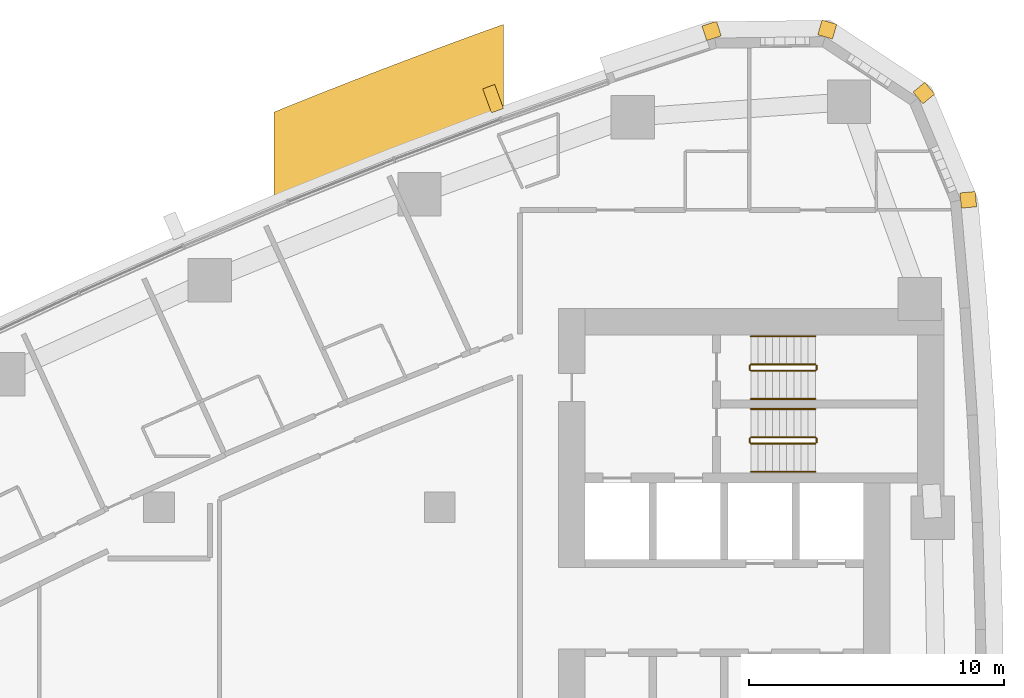
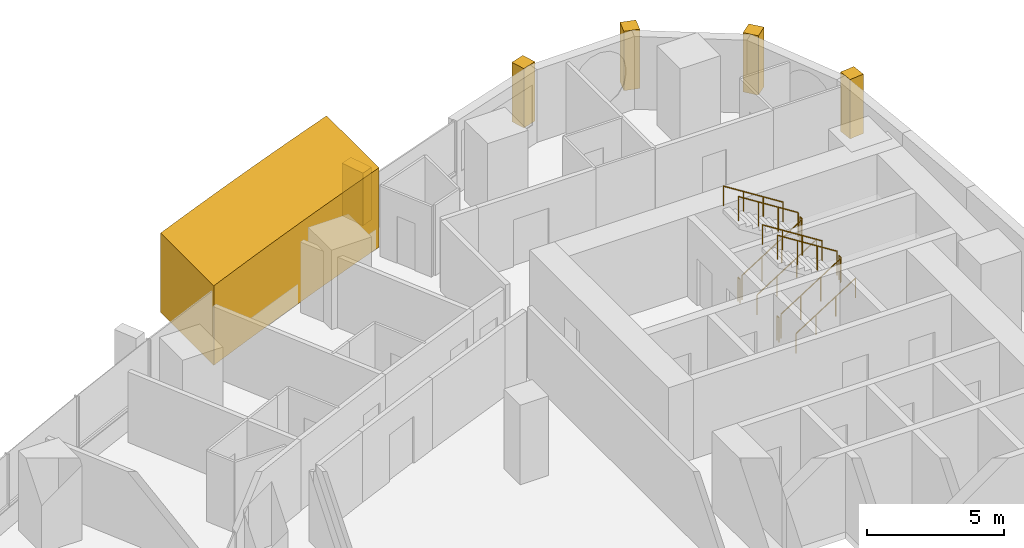
# One storey, part 17 of 17: 12 railings, 6 coverings.
"""IFC4 building model written with IfcOpenShell, lengths in metres."""

import ifcopenshell
import ifcopenshell.guid

model = None  # the IFC model being written
_history = None  # IfcOwnerHistory: only IFC2X3 demands one
_inside = {}  # id of a spatial element -> (the spatial element, [elements in it])
_under = {}  # id of a project, library or spatial element -> (it, [spatial elements below it])
_declared = {}  # id of a project -> (the project, [libraries it declares])
_typed = {}  # id of a type object -> (the type object, [elements of that type])
_made_of = {}  # id of a material, layer set ... -> (it, [elements and type objects made of it])


def new_model(schema):
    """Start an empty IFC model of exactly this schema.

    Asked for "IFC4X3", IfcOpenShell would pick the latest addendum, in which some entities
    have other attributes; the version numbers below select the first issue.
    IFC2X3 requires an IfcOwnerHistory on every rooted entity: one is made here for all.
    """
    global model, _history
    if schema == "IFC4X3":
        model = ifcopenshell.file(schema_version=(4, 3, 0, 0))
    else:
        model = ifcopenshell.file(schema=schema)
    _inside.clear()
    _under.clear()
    _declared.clear()
    _typed.clear()
    _made_of.clear()
    _history = None
    if model.schema == "IFC2X3":
        org = make("IfcOrganization", Name="unknown")
        user = make(
            "IfcPersonAndOrganization",
            ThePerson=make("IfcPerson", FamilyName="unknown"),
            TheOrganization=org,
        )
        app = make(
            "IfcApplication",
            ApplicationDeveloper=org,
            Version="unknown",
            ApplicationFullName="unknown",
            ApplicationIdentifier="unknown",
        )
        _history = make(
            "IfcOwnerHistory",
            OwningUser=user,
            OwningApplication=app,
            ChangeAction="ADDED",
            CreationDate=0,
        )
    return model


def make(cls, **values):
    """One entity of the class cls with the attributes given. An attribute that is None is left unset."""
    return model.create_entity(
        cls, **{name: value for name, value in values.items() if value is not None}
    )


def rooted(cls, **values):
    """An entity with a GlobalId (a new one), such as an element, a storey or a relation."""
    return make(cls, GlobalId=ifcopenshell.guid.new(), OwnerHistory=_history, **values)


def si_unit(unit_type, name, prefix=None):
    """IfcSIUnit, for example si_unit("LENGTHUNIT", "METRE", prefix="MILLI")."""
    return make("IfcSIUnit", UnitType=unit_type, Prefix=prefix, Name=name)


def assignment(units):
    """IfcUnitAssignment: the units of a project."""
    return None if units is None else make("IfcUnitAssignment", Units=units)


def point(xyz):
    """IfcCartesianPoint."""
    return None if xyz is None else make("IfcCartesianPoint", Coordinates=xyz)


def direction(xyz):
    """IfcDirection."""
    return None if xyz is None else make("IfcDirection", DirectionRatios=xyz)


def frame(location, z_axis=None, x_axis=None):
    """IfcAxis2Placement3D, a coordinate frame: its origin and axes. An axis left out is left unset."""
    return make(
        "IfcAxis2Placement3D",
        Location=point(location),
        Axis=direction(z_axis),
        RefDirection=direction(x_axis),
    )


def frame_2d(location, x_axis=None):
    """IfcAxis2Placement2D, a coordinate frame in the plane: its origin and x axis."""
    return make(
        "IfcAxis2Placement2D", Location=point(location), RefDirection=direction(x_axis)
    )


def origin():
    """The frame at (0, 0, 0) with its axes left unset."""
    return frame((0.0, 0.0, 0.0))


def origin_2d():
    """The frame at (0, 0) in the plane with its x axis left unset."""
    return frame_2d((0.0, 0.0))


def place(relative_to, where):
    """IfcLocalPlacement: puts the frame where relative to a parent placement (None: the world)."""
    return make(
        "IfcLocalPlacement", PlacementRelTo=relative_to, RelativePlacement=where
    )


def context(
    kind, dimensions, precision=None, world=None, true_north=None, identifier=None
):
    """IfcGeometricRepresentationContext, for example the 3D "Model" context."""
    return make(
        "IfcGeometricRepresentationContext",
        ContextIdentifier=identifier,
        ContextType=kind,
        CoordinateSpaceDimension=dimensions,
        Precision=precision,
        WorldCoordinateSystem=world,
        TrueNorth=true_north,
    )


def subcontext(parent, identifier, kind, view, scale=None):
    """IfcGeometricRepresentationSubContext, for example "Body" below "Model"."""
    return make(
        "IfcGeometricRepresentationSubContext",
        ContextIdentifier=identifier,
        ContextType=kind,
        ParentContext=parent,
        TargetScale=scale,
        TargetView=view,
    )


def project(units=None, contexts=None):
    """IfcProject with its units and contexts."""
    return rooted(
        "IfcProject",
        Name="project",
        RepresentationContexts=contexts,
        UnitsInContext=assignment(units),
    )


def spatial(cls, under=None, at=None, **own):
    """A site, building, storey or space (cls), placed at a placement, below another one or the project."""
    s = rooted(cls, ObjectPlacement=at, **own)
    if under is not None:
        _under.setdefault(under.id(), (under, []))[1].append(s)
    return s


def polyline(points):
    """IfcPolyline through the points."""
    return make("IfcPolyline", Points=[point(p) for p in points])


def profile(cls, at=None, kind="AREA", **sizes):
    """A parametric profile (cls). Its sizes go by their IFC names, for example OverallWidth=200.0."""
    return make(cls, ProfileType=kind, Position=at, **sizes)


def rectangle(**sizes):
    """IfcRectangleProfileDef."""
    return profile("IfcRectangleProfileDef", **sizes)


def circle(**sizes):
    """IfcCircleProfileDef."""
    return profile("IfcCircleProfileDef", **sizes)


def outline(outer, holes=None, kind="AREA"):
    """IfcArbitraryClosedProfileDef: a profile drawn as a closed curve; with holes, ...WithVoids."""
    if holes is None:
        return make("IfcArbitraryClosedProfileDef", ProfileType=kind, OuterCurve=outer)
    return make(
        "IfcArbitraryProfileDefWithVoids",
        ProfileType=kind,
        OuterCurve=outer,
        InnerCurves=holes,
    )


def extrude(swept, where, along, depth):
    """IfcExtrudedAreaSolid: the profile swept, set in the frame where, extruded along a direction by depth."""
    return make(
        "IfcExtrudedAreaSolid",
        SweptArea=swept,
        Position=where,
        ExtrudedDirection=direction(along),
        Depth=depth,
    )


def shape(context_of_items, identifier, shape_type, items):
    """IfcShapeRepresentation: the items that make up one representation, for example the "Body"."""
    return make(
        "IfcShapeRepresentation",
        ContextOfItems=context_of_items,
        RepresentationIdentifier=identifier,
        RepresentationType=shape_type,
        Items=items,
    )


def material(Name=None, Category=None):
    """IfcMaterial."""
    return make("IfcMaterial", Name=Name, Category=Category)


def layer(
    of_material, thickness, ventilated=None, Name=None, Category=None, Priority=None
):
    """IfcMaterialLayer: one layer of a wall or slab, of a material (None: an air gap)."""
    return make(
        "IfcMaterialLayer",
        Material=of_material,
        LayerThickness=thickness,
        IsVentilated=ventilated,
        Name=Name,
        Category=Category,
        Priority=Priority,
    )


def layer_set(layers, Name=None):
    """IfcMaterialLayerSet."""
    return make("IfcMaterialLayerSet", MaterialLayers=layers, LayerSetName=Name)


def made_of(thing, what):
    """Note that an element or type object is made of a material, layer set ...; save() writes the relation."""
    if what is not None:
        _made_of.setdefault(what.id(), (what, []))[1].append(thing)
    return thing


def type_object(cls, material=None, **own):
    """A type object (cls), such as IfcWallType, which elements share."""
    return made_of(rooted(cls, **own), material)


def element(
    cls,
    number,
    at=None,
    inside=None,
    cuts=None,
    type_object=None,
    material=None,
    context=None,
    identifier="Body",
    shape_type=None,
    held_by="IfcProductDefinitionShape",
    body=None,
    shapes=None,
    **own,
):
    """One element of the class cls, such as IfcWall. Its Tag is "e" and its number.

    at: its placement. inside: the storey or other place that contains it. cuts: it is an
    opening in that element (IfcRelVoidsElement). A single representation is given by context,
    identifier, shape_type and body (its items); several are given by shapes. held_by: the class
    of the entity that holds the representations. save() writes the other relations.
    """
    e = rooted(cls, Tag="e%d" % number, ObjectPlacement=at, **own)
    if body is not None:
        shapes = [shape(context, identifier, shape_type, body)]
    if shapes is not None:
        e.Representation = make(held_by, Representations=shapes)
    if inside is not None:
        _inside.setdefault(inside.id(), (inside, []))[1].append(e)
    if cuts is not None:
        rooted(
            "IfcRelVoidsElement", RelatingBuildingElement=cuts, RelatedOpeningElement=e
        )
    if type_object is not None:
        _typed.setdefault(type_object.id(), (type_object, []))[1].append(e)
    return made_of(e, material)


def aggregate(whole, parts):
    """IfcRelAggregates: a whole, such as a stair, and the parts it consists of."""
    return rooted("IfcRelAggregates", RelatingObject=whole, RelatedObjects=parts)


def save(model, path):
    """Write the relations noted so far, then the file.

    IfcRelAggregates (storeys below a building ...), IfcRelContainedInSpatialStructure (elements
    in a storey), IfcRelDefinesByType, IfcRelAssociatesMaterial and IfcRelDeclares: one each for
    every whole, place, type object, material and project.
    """
    for whole, parts in _under.values():
        aggregate(whole, parts)
    for where, things in _inside.values():
        rooted(
            "IfcRelContainedInSpatialStructure",
            RelatedElements=things,
            RelatingStructure=where,
        )
    for kind, things in _typed.values():
        rooted("IfcRelDefinesByType", RelatedObjects=things, RelatingType=kind)
    for what, things in _made_of.values():
        rooted("IfcRelAssociatesMaterial", RelatedObjects=things, RelatingMaterial=what)
    for by, libraries in _declared.values():
        rooted("IfcRelDeclares", RelatingContext=by, RelatedDefinitions=libraries)
    model.write(path)


model = new_model("IFC4")

# Units and contexts
model_context = context("Model", 3, precision=1e-05, world=origin(), true_north=direction((0.0, 1.0)))
body_context = subcontext(model_context, "Body", "Model", "MODEL_VIEW")
ifc_project = project(units=[si_unit("LENGTHUNIT", "METRE"), si_unit("AREAUNIT", "SQUARE_METRE"), si_unit("VOLUMEUNIT", "CUBIC_METRE"), si_unit("PLANEANGLEUNIT", "RADIAN"), si_unit("MASSUNIT", "GRAM", prefix="KILO")], contexts=[model_context])

# Site, building, storey
site_placement = place(None, origin())
site = spatial("IfcSite", under=ifc_project, at=site_placement, CompositionType="ELEMENT")
building_placement = place(site_placement, origin())
building = spatial("IfcBuilding", under=site, at=building_placement, Name="Ostrand Prow Hotel Tower", CompositionType="ELEMENT")
storey_placement = place(building_placement, frame((0.0, 0.0, 116.85009765625)))
storey = spatial("IfcBuildingStorey", under=building, at=storey_placement, Name="L28", CompositionType="ELEMENT", Elevation=116.85009765625)

# Coverings
ifc_material_1 = material(Name="Limestone cladding", Category="masonry")
ifc_layer_1 = layer(ifc_material_1, 5.0)
ifc_layer_set_1 = layer_set([ifc_layer_1], Name="Limestone cladding")
covering_type_1 = type_object("IfcCoveringType", Name="Portal jamb pilaster limestone", PredefinedType="CLADDING", material=ifc_layer_set_1)
covering_1_placement = place(storey_placement, origin())
element("IfcCovering", 1, at=covering_1_placement, inside=storey, type_object=covering_type_1, Name="Portal jamb NB L28", PredefinedType="CLADDING", context=body_context, shape_type="SweptSolid", body=[
    extrude(outline(polyline([(38.5, 20.59423828125), (39.5, 21.006103515625), (40.5, 21.412353515625), (41.5, 21.812744140625), (42.5, 22.207763671875), (43.5, 22.59716796875), (44.5, 22.98095703125), (45.5, 23.359130859375), (46.5, 23.732177734375), (47.5, 24.099609375), (47.5, 27.927490234375), (46.5, 27.566650390625), (45.5, 27.200439453125), (44.5, 26.8291015625), (43.5, 26.4521484375), (42.5, 26.06982421875), (41.5, 25.68212890625), (40.5, 25.2890625), (39.5, 24.890380859375), (38.5, 24.486083984375), (38.5, 20.59423828125)])), origin(), (0.0, 0.0, 1.0), 3.5498046875),
])
ifc_material_2 = material(Name="Limestone cladding", Category="masonry")
ifc_layer_2 = layer(ifc_material_2, 0.5)
ifc_layer_set_2 = layer_set([ifc_layer_2], Name="Limestone cladding")
covering_type_2 = type_object("IfcCoveringType", Name="Precast stone fin 500x900", PredefinedType="CLADDING", material=ifc_layer_set_2)
covering_2_placement = place(storey_placement, frame((47.265380859375, 24.546142578125, 0.89990234375), z_axis=(0.0, 0.0, 1.0), x_axis=(-0.342762160206, 0.93942221686, 0.0)))
element("IfcCovering", 2, at=covering_2_placement, inside=storey, type_object=covering_type_2, Name="Stone fin N 2", PredefinedType="CLADDING", context=body_context, shape_type="SweptSolid", body=[
    extrude(rectangle(XDim=1.0, YDim=0.5, at=frame_2d((0.5, 0.0))), origin(), (0.0, 0.0, 1.0), 2.35009765625),
])
ifc_material_3 = material(Name="Limestone cladding", Category="masonry")
ifc_layer_3 = layer(ifc_material_3, 0.60009765625)
ifc_layer_set_3 = layer_set([ifc_layer_3], Name="Limestone cladding")
covering_type_3 = type_object("IfcCoveringType", Name="Precast stone prow rib 600x600", PredefinedType="CLADDING", material=ifc_layer_set_3)
for number, where, z_axis, x_axis, name in (
    (3, (65.41650390625, 21.02099609375, 0.599853515625), (0.0, 0.0, 1.0), (0.99529571972, 0.096883591531, 0.0), "Stone corner rib 15a"),
    (4, (63.74365234375, 25.043212890625, 0.599853515625), (0.0, 0.0, 1.0), (0.770318500913, 0.637659319034, 0.0), "Stone corner rib 16a"),
):
    element("IfcCovering", number, at=place(storey_placement, frame(where, z_axis=z_axis, x_axis=x_axis)), inside=storey, type_object=covering_type_3, Name=name, PredefinedType="CLADDING", context=body_context, shape_type="SweptSolid", body=[
        extrude(rectangle(XDim=0.599853515625, YDim=0.60009765625, at=frame_2d((0.2998046875, 0.0))), origin(), (0.0, 0.0, 1.0), 2.650146484375),
    ])
covering_3_placement = place(storey_placement, frame((60.104736328125, 27.437744140625, 0.599853515625), z_axis=(0.0, 0.0, 1.0), x_axis=(0.280734221166, 0.959785547436, 0.0)))
element("IfcCovering", 5, at=covering_3_placement, inside=storey, type_object=covering_type_3, Name="Stone corner rib 17a", PredefinedType="CLADDING", context=body_context, shape_type="SweptSolid", body=[
    extrude(rectangle(XDim=0.60009765625, YDim=0.60009765625, at=frame_2d((0.300048828125, 0.0))), origin(), (0.0, 0.0, 1.0), 2.650146484375),
])
covering_4_placement = place(storey_placement, frame((55.7490234375, 27.3828125, 0.599853515625), z_axis=(0.0, 0.0, 1.0), x_axis=(-0.305218682065, 0.952282288042, 0.0)))
element("IfcCovering", 6, at=covering_4_placement, inside=storey, type_object=covering_type_3, Name="Stone corner rib 17b", PredefinedType="CLADDING", context=body_context, shape_type="SweptSolid", body=[
    extrude(rectangle(XDim=0.599853515625, YDim=0.60009765625, at=frame_2d((0.2998046875, 0.0))), origin(), (0.0, 0.0, 1.0), 2.650146484375),
])

# Railings
ifc_material_4 = material(Name="Painted steel", Category="steel")
railing_type_1 = type_object("IfcRailingType", Name="Stair guard 1100", PredefinedType="GUARDRAIL", material=ifc_material_4)
railing_1_placement = place(storey_placement, frame((57.199951171875, 11.5, 0.177490234375)))
element("IfcRailing", 7, at=railing_1_placement, inside=storey, type_object=railing_type_1, Name="L28 ST1C stair guard 1", PredefinedType="GUARDRAIL", context=body_context, shape_type="SweptSolid", body=[
    extrude(circle(Radius=0.02392578125, at=origin_2d()), frame((0.0, 0.0, 1.076171875), z_axis=(0.84460694969, 0.0, 0.535386869969), x_axis=(0.0, 1.0, 0.0)), (0.0, 0.0, 1.0), 2.983642578125),
    extrude(circle(Radius=0.02099609375, at=origin_2d()), origin(), (0.0, 0.0, 1.0), 1.052001953125),
    extrude(circle(Radius=0.02099609375, at=origin_2d()), frame((0.840087890625, 0.0, 0.532470703125)), (0.0, 0.0, 1.0), 1.052001953125),
    extrude(circle(Radius=0.02099609375, at=origin_2d()), frame((1.679931640625, 0.0, 1.06494140625)), (0.0, 0.0, 1.0), 1.052001953125),
    extrude(circle(Radius=0.02099609375, at=origin_2d()), frame((2.52001953125, 0.0, 1.597412109375)), (0.0, 0.0, 1.0), 1.052001953125),
])
railing_2_placement = place(storey_placement, frame((59.77001953125, 11.550048828125, 1.77490234375)))
element("IfcRailing", 8, at=railing_2_placement, inside=storey, type_object=railing_type_1, Name="L28 ST1C stair guard 2", PredefinedType="GUARDRAIL", context=body_context, shape_type="SweptSolid", body=[
    extrude(circle(Radius=0.02392578125, at=origin_2d()), frame((0.0, 0.0, 1.076171875), z_axis=(0.0, 1.0, 0.0), x_axis=(-1.0, 0.0, 0.0)), (0.0, 0.0, 1.0), 0.14990234375),
    extrude(circle(Radius=0.02099609375, at=origin_2d()), origin(), (0.0, 0.0, 1.0), 1.052001953125),
    extrude(circle(Radius=0.02099609375, at=origin_2d()), frame((0.0, 0.14990234375, 0.0)), (0.0, 0.0, 1.0), 1.052001953125),
])
railing_3_placement = place(storey_placement, frame((59.719970703125, 11.75, 1.952392578125)))
element("IfcRailing", 9, at=railing_3_placement, inside=storey, type_object=railing_type_1, Name="L28 ST1C stair guard 3", PredefinedType="GUARDRAIL", context=body_context, shape_type="SweptSolid", body=[
    extrude(circle(Radius=0.02392578125, at=origin_2d()), frame((0.0, 0.0, 1.076171875), z_axis=(-0.84460694969, 0.0, 0.535386869969), x_axis=(0.0, -1.0, 0.0)), (0.0, 0.0, 1.0), 2.983642578125),
    extrude(circle(Radius=0.02099609375, at=origin_2d()), origin(), (0.0, 0.0, 1.0), 1.052001953125),
    extrude(circle(Radius=0.02099609375, at=origin_2d()), frame((-0.840087890625, 0.0, 0.532470703125)), (0.0, 0.0, 1.0), 1.052001953125),
    extrude(circle(Radius=0.02099609375, at=origin_2d()), frame((-1.679931640625, 0.0, 1.06494140625)), (0.0, 0.0, 1.0), 1.052001953125),
    extrude(circle(Radius=0.02099609375, at=origin_2d()), frame((-2.52001953125, 0.0, 1.597412109375)), (0.0, 0.0, 1.0), 1.052001953125),
])
railing_4_placement = place(storey_placement, frame((57.14990234375, 11.550048828125, 0.0)))
element("IfcRailing", 10, at=railing_4_placement, inside=storey, type_object=railing_type_1, Name="L28 ST1C stair guard 4", PredefinedType="GUARDRAIL", context=body_context, shape_type="SweptSolid", body=[
    extrude(circle(Radius=0.02392578125, at=origin_2d()), frame((0.0, 0.0, 1.076171875), z_axis=(0.0, 1.0, 0.0), x_axis=(-1.0, 0.0, 0.0)), (0.0, 0.0, 1.0), 0.14990234375),
    extrude(circle(Radius=0.02099609375, at=origin_2d()), origin(), (0.0, 0.0, 1.0), 1.052001953125),
    extrude(circle(Radius=0.02099609375, at=origin_2d()), frame((0.0, 0.14990234375, 0.0)), (0.0, 0.0, 1.0), 1.052001953125),
])
railing_5_placement = place(storey_placement, frame((57.199951171875, 14.35009765625, 0.177490234375)))
element("IfcRailing", 11, at=railing_5_placement, inside=storey, type_object=railing_type_1, Name="L28 ST3C stair guard 1", PredefinedType="GUARDRAIL", context=body_context, shape_type="SweptSolid", body=[
    extrude(circle(Radius=0.02392578125, at=origin_2d()), frame((0.0, 0.0, 1.076171875), z_axis=(0.84460694969, 0.0, 0.535386869969), x_axis=(0.0, 1.0, 0.0)), (0.0, 0.0, 1.0), 2.983642578125),
    extrude(circle(Radius=0.02099609375, at=origin_2d()), origin(), (0.0, 0.0, 1.0), 1.052001953125),
    extrude(circle(Radius=0.02099609375, at=origin_2d()), frame((0.840087890625, 0.0, 0.532470703125)), (0.0, 0.0, 1.0), 1.052001953125),
    extrude(circle(Radius=0.02099609375, at=origin_2d()), frame((1.679931640625, 0.0, 1.06494140625)), (0.0, 0.0, 1.0), 1.052001953125),
    extrude(circle(Radius=0.02099609375, at=origin_2d()), frame((2.52001953125, 0.0, 1.597412109375)), (0.0, 0.0, 1.0), 1.052001953125),
])
railing_6_placement = place(storey_placement, frame((59.77001953125, 14.39990234375, 1.77490234375)))
element("IfcRailing", 12, at=railing_6_placement, inside=storey, type_object=railing_type_1, Name="L28 ST3C stair guard 2", PredefinedType="GUARDRAIL", context=body_context, shape_type="SweptSolid", body=[
    extrude(circle(Radius=0.02392578125, at=origin_2d()), frame((0.0, 0.0, 1.076171875), z_axis=(0.0, 1.0, 0.0), x_axis=(-1.0, 0.0, 0.0)), (0.0, 0.0, 1.0), 0.150146484375),
    extrude(circle(Radius=0.02099609375, at=origin_2d()), origin(), (0.0, 0.0, 1.0), 1.052001953125),
    extrude(circle(Radius=0.02099609375, at=origin_2d()), frame((0.0, 0.150146484375, 0.0)), (0.0, 0.0, 1.0), 1.052001953125),
])
railing_7_placement = place(storey_placement, frame((59.719970703125, 14.60009765625, 1.952392578125)))
element("IfcRailing", 13, at=railing_7_placement, inside=storey, type_object=railing_type_1, Name="L28 ST3C stair guard 3", PredefinedType="GUARDRAIL", context=body_context, shape_type="SweptSolid", body=[
    extrude(circle(Radius=0.02392578125, at=origin_2d()), frame((0.0, 0.0, 1.076171875), z_axis=(-0.84460694969, 0.0, 0.535386869969), x_axis=(0.0, -1.0, 0.0)), (0.0, 0.0, 1.0), 2.983642578125),
    extrude(circle(Radius=0.02099609375, at=origin_2d()), origin(), (0.0, 0.0, 1.0), 1.052001953125),
    extrude(circle(Radius=0.02099609375, at=origin_2d()), frame((-0.840087890625, 0.0, 0.532470703125)), (0.0, 0.0, 1.0), 1.052001953125),
    extrude(circle(Radius=0.02099609375, at=origin_2d()), frame((-1.679931640625, 0.0, 1.06494140625)), (0.0, 0.0, 1.0), 1.052001953125),
    extrude(circle(Radius=0.02099609375, at=origin_2d()), frame((-2.52001953125, 0.0, 1.597412109375)), (0.0, 0.0, 1.0), 1.052001953125),
])
railing_8_placement = place(storey_placement, frame((57.14990234375, 14.39990234375, 0.0)))
element("IfcRailing", 14, at=railing_8_placement, inside=storey, type_object=railing_type_1, Name="L28 ST3C stair guard 4", PredefinedType="GUARDRAIL", context=body_context, shape_type="SweptSolid", body=[
    extrude(circle(Radius=0.02392578125, at=origin_2d()), frame((0.0, 0.0, 1.076171875), z_axis=(0.0, 1.0, 0.0), x_axis=(-1.0, 0.0, 0.0)), (0.0, 0.0, 1.0), 0.150146484375),
    extrude(circle(Radius=0.02099609375, at=origin_2d()), origin(), (0.0, 0.0, 1.0), 1.052001953125),
    extrude(circle(Radius=0.02099609375, at=origin_2d()), frame((0.0, 0.150146484375, 0.0)), (0.0, 0.0, 1.0), 1.052001953125),
])
ifc_material_5 = material(Name="Stainless steel", Category="steel")
railing_type_2 = type_object("IfcRailingType", Name="Stair handrail 900", PredefinedType="HANDRAIL", material=ifc_material_5)
railing_9_placement = place(storey_placement, frame((57.199951171875, 10.39990234375, 0.177490234375)))
element("IfcRailing", 15, at=railing_9_placement, inside=storey, type_object=railing_type_2, Name="L28 ST1C stair handrail 1", PredefinedType="HANDRAIL", context=body_context, shape_type="SweptSolid", body=[
    extrude(circle(Radius=0.02392578125, at=origin_2d()), frame((0.0, 0.0, 0.8759765625), z_axis=(0.84460694969, 0.0, 0.535386869969), x_axis=(0.0, 1.0, 0.0)), (0.0, 0.0, 1.0), 2.983642578125),
    extrude(circle(Radius=0.02099609375, at=origin_2d()), origin(), (0.0, 0.0, 1.0), 0.851806640625),
    extrude(circle(Radius=0.02099609375, at=origin_2d()), frame((0.840087890625, 0.0, 0.532470703125)), (0.0, 0.0, 1.0), 0.851806640625),
    extrude(circle(Radius=0.02099609375, at=origin_2d()), frame((1.679931640625, 0.0, 1.06494140625)), (0.0, 0.0, 1.0), 0.851806640625),
    extrude(circle(Radius=0.02099609375, at=origin_2d()), frame((2.52001953125, 0.0, 1.597412109375)), (0.0, 0.0, 1.0), 0.851806640625),
])
railing_10_placement = place(storey_placement, frame((59.719970703125, 12.85009765625, 1.952392578125)))
element("IfcRailing", 16, at=railing_10_placement, inside=storey, type_object=railing_type_2, Name="L28 ST1C stair handrail 2", PredefinedType="HANDRAIL", context=body_context, shape_type="SweptSolid", body=[
    extrude(circle(Radius=0.02392578125, at=origin_2d()), frame((0.0, 0.0, 0.8759765625), z_axis=(-0.84460694969, 0.0, 0.535386869969), x_axis=(0.0, -1.0, 0.0)), (0.0, 0.0, 1.0), 2.983642578125),
    extrude(circle(Radius=0.02099609375, at=origin_2d()), origin(), (0.0, 0.0, 1.0), 0.851806640625),
    extrude(circle(Radius=0.02099609375, at=origin_2d()), frame((-0.840087890625, 0.0, 0.532470703125)), (0.0, 0.0, 1.0), 0.851806640625),
    extrude(circle(Radius=0.02099609375, at=origin_2d()), frame((-1.679931640625, 0.0, 1.06494140625)), (0.0, 0.0, 1.0), 0.851806640625),
    extrude(circle(Radius=0.02099609375, at=origin_2d()), frame((-2.52001953125, 0.0, 1.597412109375)), (0.0, 0.0, 1.0), 0.851806640625),
])
railing_11_placement = place(storey_placement, frame((57.199951171875, 13.25, 0.177490234375)))
element("IfcRailing", 17, at=railing_11_placement, inside=storey, type_object=railing_type_2, Name="L28 ST3C stair handrail 1", PredefinedType="HANDRAIL", context=body_context, shape_type="SweptSolid", body=[
    extrude(circle(Radius=0.02392578125, at=origin_2d()), frame((0.0, 0.0, 0.8759765625), z_axis=(0.84460694969, 0.0, 0.535386869969), x_axis=(0.0, 1.0, 0.0)), (0.0, 0.0, 1.0), 2.983642578125),
    extrude(circle(Radius=0.02099609375, at=origin_2d()), origin(), (0.0, 0.0, 1.0), 0.851806640625),
    extrude(circle(Radius=0.02099609375, at=origin_2d()), frame((0.840087890625, 0.0, 0.532470703125)), (0.0, 0.0, 1.0), 0.851806640625),
    extrude(circle(Radius=0.02099609375, at=origin_2d()), frame((1.679931640625, 0.0, 1.06494140625)), (0.0, 0.0, 1.0), 0.851806640625),
    extrude(circle(Radius=0.02099609375, at=origin_2d()), frame((2.52001953125, 0.0, 1.597412109375)), (0.0, 0.0, 1.0), 0.851806640625),
])
railing_12_placement = place(storey_placement, frame((59.719970703125, 15.699951171875, 1.952392578125)))
element("IfcRailing", 18, at=railing_12_placement, inside=storey, type_object=railing_type_2, Name="L28 ST3C stair handrail 2", PredefinedType="HANDRAIL", context=body_context, shape_type="SweptSolid", body=[
    extrude(circle(Radius=0.02392578125, at=origin_2d()), frame((0.0, 0.0, 0.8759765625), z_axis=(-0.84460694969, 0.0, 0.535386869969), x_axis=(0.0, -1.0, 0.0)), (0.0, 0.0, 1.0), 2.983642578125),
    extrude(circle(Radius=0.02099609375, at=origin_2d()), origin(), (0.0, 0.0, 1.0), 0.851806640625),
    extrude(circle(Radius=0.02099609375, at=origin_2d()), frame((-0.840087890625, 0.0, 0.532470703125)), (0.0, 0.0, 1.0), 0.851806640625),
    extrude(circle(Radius=0.02099609375, at=origin_2d()), frame((-1.679931640625, 0.0, 1.06494140625)), (0.0, 0.0, 1.0), 0.851806640625),
    extrude(circle(Radius=0.02099609375, at=origin_2d()), frame((-2.52001953125, 0.0, 1.597412109375)), (0.0, 0.0, 1.0), 0.851806640625),
])

save(model, "model.ifc")
